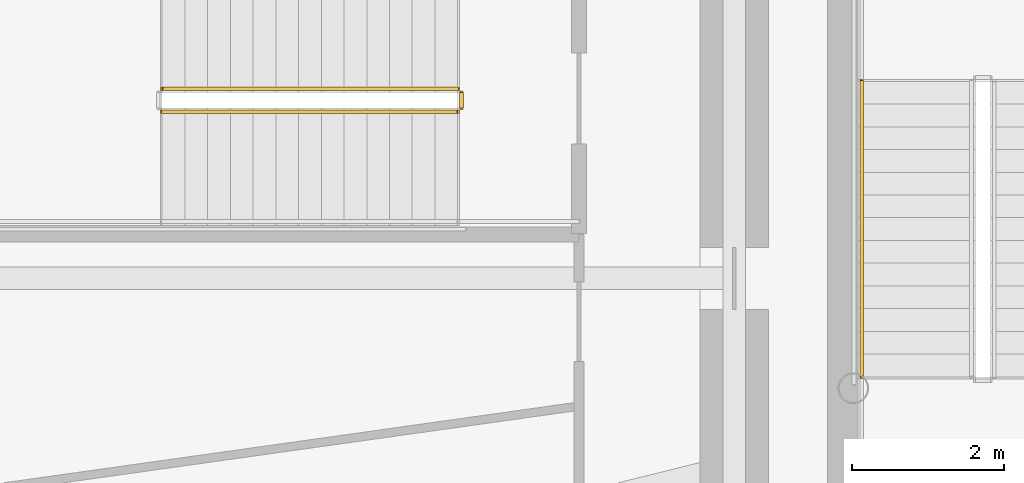
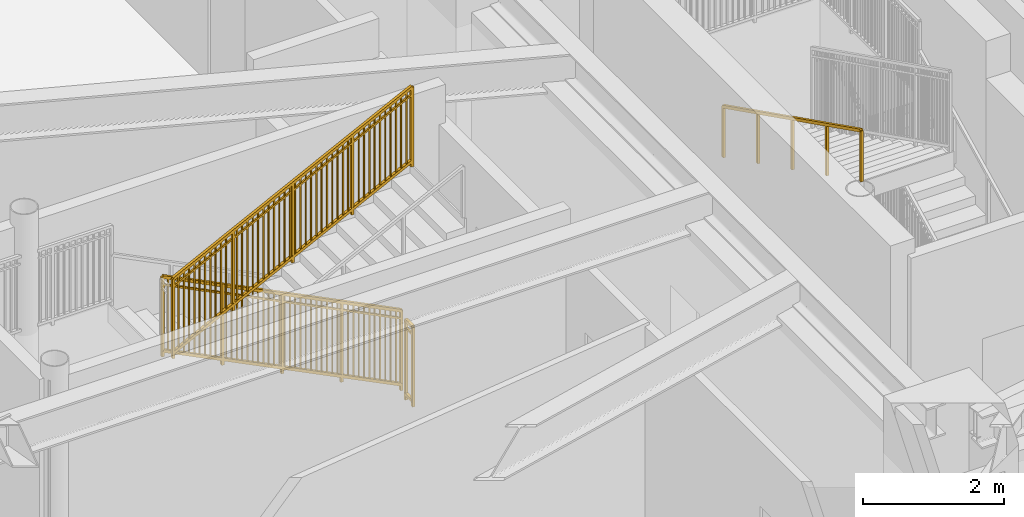
# One storey, part 26 of 35: 4 railings.
"""IFC4 building model written with IfcOpenShell, lengths in metres."""

from ifc_helpers import new_model, si_unit, direction, frame, origin, origin_2d, place, context, subcontext, project, spatial, rectangle, extrude, source, transform, mapped, material, type_object, element, save


model = new_model("IFC4")

# Units and contexts
model_context = context("Model", 3, precision=1e-05, world=origin(), true_north=direction((0.0, 1.0)))
body_context = subcontext(model_context, "Body", "Model", "MODEL_VIEW")
ifc_project = project(units=[si_unit("LENGTHUNIT", "METRE"), si_unit("AREAUNIT", "SQUARE_METRE"), si_unit("VOLUMEUNIT", "CUBIC_METRE"), si_unit("PLANEANGLEUNIT", "RADIAN"), si_unit("MASSUNIT", "GRAM", prefix="KILO")], contexts=[model_context])

# Site, building, storey
site_placement = place(None, origin())
site = spatial("IfcSite", under=ifc_project, at=site_placement, CompositionType="ELEMENT")
building_placement = place(site_placement, origin())
building = spatial("IfcBuilding", under=site, at=building_placement, Name="Linh Dai School and Residence Tower", CompositionType="ELEMENT")
storey_placement = place(building_placement, frame((0.0, 0.0, 49.199951171875)))
storey = spatial("IfcBuildingStorey", under=building, at=storey_placement, Name="L11", CompositionType="ELEMENT", Elevation=49.199951171875)

# Railings
ifc_material_1 = material(Name="Brushed Stainless Steel Handrail", Category="steel")
railing_type_1 = type_object("IfcRailingType", Name="RL-ST-HANDRAIL-900", PredefinedType="HANDRAIL", material=ifc_material_1)
shared_shape_1 = source(origin(), body_context, "Body", "SweptSolid", [
    extrude(rectangle(XDim=0.048095703125, YDim=0.048095703125, at=origin_2d()), frame((0.0, 0.0, 0.8759765625), z_axis=(0.0, -0.894438388696, 0.447191199406), x_axis=(1.0, 0.0, 0.0)), (0.0, 0.0, 1.0), 4.3603515625),
    extrude(rectangle(XDim=0.0419921875, YDim=0.0419921875, at=origin_2d()), origin(), (0.0, 0.0, 1.0), 0.8759765625),
    extrude(rectangle(XDim=0.0419921875, YDim=0.0419921875, at=origin_2d()), frame((0.0, -0.97509765625, 0.487548828125)), (0.0, 0.0, 1.0), 0.8759765625),
    extrude(rectangle(XDim=0.0419921875, YDim=0.0419921875, at=origin_2d()), frame((0.0, -1.9501953125, 0.97509765625)), (0.0, 0.0, 1.0), 0.8759765625),
    extrude(rectangle(XDim=0.0419921875, YDim=0.0419921875, at=origin_2d()), frame((0.0, -2.925048828125, 1.46240234375)), (0.0, 0.0, 1.0), 0.8759765625),
    extrude(rectangle(XDim=0.0419921875, YDim=0.0419921875, at=origin_2d()), frame((0.0, -3.900146484375, 1.949951171875)), (0.0, 0.0, 1.0), 0.8759765625),
])
railing_1_placement = place(storey_placement, frame((27.72998046875, 29.60009765625, 2.25)))
element("IfcRailing", 1, at=railing_1_placement, inside=storey, type_object=railing_type_1, Name="L11 ST1 stair handrail 2", PredefinedType="HANDRAIL", context=body_context, shape_type="MappedRepresentation", body=[
    mapped(shared_shape_1, transform((0.0, 0.0, 0.0), x_axis=(1.0, 0.0, 0.0), y_axis=(0.0, 1.0, 0.0), z_axis=(0.0, 0.0, 1.0), scale=1.0)),
])
ifc_material_2 = material(Name="Structural Steel S355JR", Category="steel")
railing_type_2 = type_object("IfcRailingType", Name="RL-ST-GUARD-1400", PredefinedType="GUARDRAIL", material=ifc_material_2)
shared_shape_2 = source(origin(), body_context, "Body", "SweptSolid", [
    extrude(rectangle(XDim=0.048095703125, YDim=0.048095703125, at=origin_2d()), frame((0.0, 0.0, 1.3759765625), z_axis=(0.0, -1.0, 0.0), x_axis=(1.0, 0.0, 0.0)), (0.0, 0.0, 1.0), 0.199951171875),
    extrude(rectangle(XDim=0.048095703125, YDim=0.048095703125, at=origin_2d()), frame((0.0, 0.0, 0.10009765625), z_axis=(0.0, -1.0, 0.0), x_axis=(1.0, 0.0, 0.0)), (0.0, 0.0, 1.0), 0.199951171875),
    extrude(rectangle(XDim=0.030029296875, YDim=0.030029296875, at=origin_2d()), frame((0.0, 0.0, 1.239990234375), z_axis=(0.0, -1.0, 0.0), x_axis=(1.0, 0.0, 0.0)), (0.0, 0.0, 1.0), 0.199951171875),
    extrude(rectangle(XDim=0.0419921875, YDim=0.0419921875, at=origin_2d()), origin(), (0.0, 0.0, 1.0), 1.3759765625),
    extrude(rectangle(XDim=0.0419921875, YDim=0.0419921875, at=origin_2d()), frame((0.0, -0.199951171875, 0.0)), (0.0, 0.0, 1.0), 1.3759765625),
])
railing_2_placement = place(storey_placement, frame((22.449951171875, 29.449951171875, 0.0)))
element("IfcRailing", 2, at=railing_2_placement, inside=storey, type_object=railing_type_2, Name="L11 STS1 stair guard 7", PredefinedType="GUARDRAIL", context=body_context, shape_type="MappedRepresentation", body=[
    mapped(shared_shape_2, transform((0.0, 0.0, 0.0), x_axis=(1.0, 0.0, 0.0), y_axis=(0.0, 1.0, 0.0), z_axis=(0.0, 0.0, 1.0), scale=1.0)),
])
shared_shape_3 = source(origin(), body_context, "Body", "SweptSolid", [
    extrude(rectangle(XDim=0.048095703125, YDim=0.048095703125, at=origin_2d()), frame((0.0, 0.0, 1.3759765625), z_axis=(0.894427191, 0.0, 0.4472135955), x_axis=(0.0, 1.0, 0.0)), (0.0, 0.0, 1.0), 4.360107421875),
    extrude(rectangle(XDim=0.048095703125, YDim=0.048095703125, at=origin_2d()), frame((0.0, 0.0, 0.10009765625), z_axis=(0.894427191, 0.0, 0.4472135955), x_axis=(0.0, 1.0, 0.0)), (0.0, 0.0, 1.0), 4.360107421875),
    extrude(rectangle(XDim=0.030029296875, YDim=0.030029296875, at=origin_2d()), frame((0.0, 0.0, 1.239990234375), z_axis=(0.894427191, 0.0, 0.4472135955), x_axis=(0.0, 1.0, 0.0)), (0.0, 0.0, 1.0), 4.360107421875),
    extrude(rectangle(XDim=0.02001953125, YDim=0.02001953125, at=origin_2d()), frame((0.086669921875, 0.0, 0.143310546875)), (0.0, 0.0, 1.0), 1.251708984375),
    extrude(rectangle(XDim=0.02001953125, YDim=0.02001953125, at=origin_2d()), frame((0.17333984375, 0.0, 0.186767578125)), (0.0, 0.0, 1.0), 1.251708984375),
    extrude(rectangle(XDim=0.02001953125, YDim=0.02001953125, at=origin_2d()), frame((0.260009765625, 0.0, 0.22998046875)), (0.0, 0.0, 1.0), 1.251708984375),
    extrude(rectangle(XDim=0.02001953125, YDim=0.02001953125, at=origin_2d()), frame((0.3466796875, 0.0, 0.2734375)), (0.0, 0.0, 1.0), 1.251708984375),
    extrude(rectangle(XDim=0.02001953125, YDim=0.02001953125, at=origin_2d()), frame((0.433349609375, 0.0, 0.316650390625)), (0.0, 0.0, 1.0), 1.251708984375),
    extrude(rectangle(XDim=0.02001953125, YDim=0.02001953125, at=origin_2d()), frame((0.52001953125, 0.0, 0.360107421875)), (0.0, 0.0, 1.0), 1.251708984375),
    extrude(rectangle(XDim=0.02001953125, YDim=0.02001953125, at=origin_2d()), frame((0.606689453125, 0.0, 0.4033203125)), (0.0, 0.0, 1.0), 1.251708984375),
    extrude(rectangle(XDim=0.02001953125, YDim=0.02001953125, at=origin_2d()), frame((0.693359375, 0.0, 0.44677734375)), (0.0, 0.0, 1.0), 1.251708984375),
    extrude(rectangle(XDim=0.02001953125, YDim=0.02001953125, at=origin_2d()), frame((0.780029296875, 0.0, 0.489990234375)), (0.0, 0.0, 1.0), 1.251708984375),
    extrude(rectangle(XDim=0.02001953125, YDim=0.02001953125, at=origin_2d()), frame((0.86669921875, 0.0, 0.533447265625)), (0.0, 0.0, 1.0), 1.251708984375),
    extrude(rectangle(XDim=0.02001953125, YDim=0.02001953125, at=origin_2d()), frame((1.0400390625, 0.0, 0.6201171875)), (0.0, 0.0, 1.0), 1.251708984375),
    extrude(rectangle(XDim=0.02001953125, YDim=0.02001953125, at=origin_2d()), frame((1.126708984375, 0.0, 0.663330078125)), (0.0, 0.0, 1.0), 1.251708984375),
    extrude(rectangle(XDim=0.02001953125, YDim=0.02001953125, at=origin_2d()), frame((1.21337890625, 0.0, 0.706787109375)), (0.0, 0.0, 1.0), 1.251708984375),
    extrude(rectangle(XDim=0.02001953125, YDim=0.02001953125, at=origin_2d()), frame((1.300048828125, 0.0, 0.75)), (0.0, 0.0, 1.0), 1.251708984375),
    extrude(rectangle(XDim=0.02001953125, YDim=0.02001953125, at=origin_2d()), frame((1.38671875, 0.0, 0.79345703125)), (0.0, 0.0, 1.0), 1.251708984375),
    extrude(rectangle(XDim=0.02001953125, YDim=0.02001953125, at=origin_2d()), frame((1.473388671875, 0.0, 0.836669921875)), (0.0, 0.0, 1.0), 1.251708984375),
    extrude(rectangle(XDim=0.02001953125, YDim=0.02001953125, at=origin_2d()), frame((1.56005859375, 0.0, 0.880126953125)), (0.0, 0.0, 1.0), 1.251708984375),
    extrude(rectangle(XDim=0.02001953125, YDim=0.02001953125, at=origin_2d()), frame((1.646728515625, 0.0, 0.92333984375)), (0.0, 0.0, 1.0), 1.251708984375),
    extrude(rectangle(XDim=0.02001953125, YDim=0.02001953125, at=origin_2d()), frame((1.7333984375, 0.0, 0.966796875)), (0.0, 0.0, 1.0), 1.251708984375),
    extrude(rectangle(XDim=0.02001953125, YDim=0.02001953125, at=origin_2d()), frame((1.820068359375, 0.0, 1.010009765625)), (0.0, 0.0, 1.0), 1.251708984375),
    extrude(rectangle(XDim=0.02001953125, YDim=0.02001953125, at=origin_2d()), frame((1.90673828125, 0.0, 1.053466796875)), (0.0, 0.0, 1.0), 1.251708984375),
    extrude(rectangle(XDim=0.02001953125, YDim=0.02001953125, at=origin_2d()), frame((1.9931640625, 0.0, 1.0966796875)), (0.0, 0.0, 1.0), 1.251708984375),
    extrude(rectangle(XDim=0.02001953125, YDim=0.02001953125, at=origin_2d()), frame((2.079833984375, 0.0, 1.14013671875)), (0.0, 0.0, 1.0), 1.251708984375),
    extrude(rectangle(XDim=0.02001953125, YDim=0.02001953125, at=origin_2d()), frame((2.16650390625, 0.0, 1.183349609375)), (0.0, 0.0, 1.0), 1.251708984375),
    extrude(rectangle(XDim=0.02001953125, YDim=0.02001953125, at=origin_2d()), frame((2.253173828125, 0.0, 1.226806640625)), (0.0, 0.0, 1.0), 1.251708984375),
    extrude(rectangle(XDim=0.02001953125, YDim=0.02001953125, at=origin_2d()), frame((2.33984375, 0.0, 1.27001953125)), (0.0, 0.0, 1.0), 1.251708984375),
    extrude(rectangle(XDim=0.02001953125, YDim=0.02001953125, at=origin_2d()), frame((2.426513671875, 0.0, 1.3134765625)), (0.0, 0.0, 1.0), 1.251708984375),
    extrude(rectangle(XDim=0.02001953125, YDim=0.02001953125, at=origin_2d()), frame((2.51318359375, 0.0, 1.356689453125)), (0.0, 0.0, 1.0), 1.251708984375),
    extrude(rectangle(XDim=0.02001953125, YDim=0.02001953125, at=origin_2d()), frame((2.599853515625, 0.0, 1.400146484375)), (0.0, 0.0, 1.0), 1.251708984375),
    extrude(rectangle(XDim=0.02001953125, YDim=0.02001953125, at=origin_2d()), frame((2.6865234375, 0.0, 1.443359375)), (0.0, 0.0, 1.0), 1.251708984375),
    extrude(rectangle(XDim=0.02001953125, YDim=0.02001953125, at=origin_2d()), frame((2.773193359375, 0.0, 1.48681640625)), (0.0, 0.0, 1.0), 1.251708984375),
    extrude(rectangle(XDim=0.02001953125, YDim=0.02001953125, at=origin_2d()), frame((2.85986328125, 0.0, 1.530029296875)), (0.0, 0.0, 1.0), 1.251708984375),
    extrude(rectangle(XDim=0.02001953125, YDim=0.02001953125, at=origin_2d()), frame((3.033203125, 0.0, 1.61669921875)), (0.0, 0.0, 1.0), 1.251708984375),
    extrude(rectangle(XDim=0.02001953125, YDim=0.02001953125, at=origin_2d()), frame((3.119873046875, 0.0, 1.66015625)), (0.0, 0.0, 1.0), 1.251708984375),
    extrude(rectangle(XDim=0.02001953125, YDim=0.02001953125, at=origin_2d()), frame((3.20654296875, 0.0, 1.703369140625)), (0.0, 0.0, 1.0), 1.251708984375),
    extrude(rectangle(XDim=0.02001953125, YDim=0.02001953125, at=origin_2d()), frame((3.293212890625, 0.0, 1.746826171875)), (0.0, 0.0, 1.0), 1.251708984375),
    extrude(rectangle(XDim=0.02001953125, YDim=0.02001953125, at=origin_2d()), frame((3.3798828125, 0.0, 1.7900390625)), (0.0, 0.0, 1.0), 1.251708984375),
    extrude(rectangle(XDim=0.02001953125, YDim=0.02001953125, at=origin_2d()), frame((3.466552734375, 0.0, 1.83349609375)), (0.0, 0.0, 1.0), 1.251708984375),
    extrude(rectangle(XDim=0.02001953125, YDim=0.02001953125, at=origin_2d()), frame((3.55322265625, 0.0, 1.876708984375)), (0.0, 0.0, 1.0), 1.251708984375),
    extrude(rectangle(XDim=0.02001953125, YDim=0.02001953125, at=origin_2d()), frame((3.639892578125, 0.0, 1.920166015625)), (0.0, 0.0, 1.0), 1.251708984375),
    extrude(rectangle(XDim=0.02001953125, YDim=0.02001953125, at=origin_2d()), frame((3.7265625, 0.0, 1.96337890625)), (0.0, 0.0, 1.0), 1.251708984375),
    extrude(rectangle(XDim=0.02001953125, YDim=0.02001953125, at=origin_2d()), frame((3.813232421875, 0.0, 2.0068359375)), (0.0, 0.0, 1.0), 1.251708984375),
    extrude(rectangle(XDim=0.0419921875, YDim=0.0419921875, at=origin_2d()), origin(), (0.0, 0.0, 1.0), 1.3759765625),
    extrude(rectangle(XDim=0.0419921875, YDim=0.0419921875, at=origin_2d()), frame((0.97509765625, 0.0, 0.487548828125)), (0.0, 0.0, 1.0), 1.3759765625),
    extrude(rectangle(XDim=0.0419921875, YDim=0.0419921875, at=origin_2d()), frame((1.949951171875, 0.0, 0.97509765625)), (0.0, 0.0, 1.0), 1.3759765625),
    extrude(rectangle(XDim=0.0419921875, YDim=0.0419921875, at=origin_2d()), frame((2.9248046875, 0.0, 1.46240234375)), (0.0, 0.0, 1.0), 1.3759765625),
    extrude(rectangle(XDim=0.0419921875, YDim=0.0419921875, at=origin_2d()), frame((3.89990234375, 0.0, 1.949951171875)), (0.0, 0.0, 1.0), 1.3759765625),
])
railing_3_placement = place(storey_placement, frame((18.5, 29.199951171875, 2.25)))
element("IfcRailing", 3, at=railing_3_placement, inside=storey, type_object=railing_type_2, Name="L11 STS1 stair guard 6", PredefinedType="GUARDRAIL", context=body_context, shape_type="MappedRepresentation", body=[
    mapped(shared_shape_3, transform((0.0, 0.0, 0.0), x_axis=(1.0, 0.0, 0.0), y_axis=(0.0, 1.0, 0.0), z_axis=(0.0, 0.0, 1.0), scale=1.0)),
])
shared_shape_4 = source(origin(), body_context, "Body", "SweptSolid", [
    extrude(rectangle(XDim=0.048095703125, YDim=0.048095703125, at=origin_2d()), frame((0.0, 0.0, 1.3759765625), z_axis=(-0.894427191, 0.0, 0.4472135955), x_axis=(0.0, -1.0, 0.0)), (0.0, 0.0, 1.0), 4.360107421875),
    extrude(rectangle(XDim=0.048095703125, YDim=0.048095703125, at=origin_2d()), frame((0.0, 0.0, 0.10009765625), z_axis=(-0.894427191, 0.0, 0.4472135955), x_axis=(0.0, -1.0, 0.0)), (0.0, 0.0, 1.0), 4.360107421875),
    extrude(rectangle(XDim=0.030029296875, YDim=0.030029296875, at=origin_2d()), frame((0.0, 0.0, 1.239990234375), z_axis=(-0.894427191, 0.0, 0.4472135955), x_axis=(0.0, -1.0, 0.0)), (0.0, 0.0, 1.0), 4.360107421875),
    extrude(rectangle(XDim=0.02001953125, YDim=0.02001953125, at=origin_2d()), frame((-0.086669921875, 0.0, 0.143310546875)), (0.0, 0.0, 1.0), 1.251708984375),
    extrude(rectangle(XDim=0.02001953125, YDim=0.02001953125, at=origin_2d()), frame((-0.17333984375, 0.0, 0.186767578125)), (0.0, 0.0, 1.0), 1.251708984375),
    extrude(rectangle(XDim=0.02001953125, YDim=0.02001953125, at=origin_2d()), frame((-0.260009765625, 0.0, 0.22998046875)), (0.0, 0.0, 1.0), 1.251708984375),
    extrude(rectangle(XDim=0.02001953125, YDim=0.02001953125, at=origin_2d()), frame((-0.3466796875, 0.0, 0.2734375)), (0.0, 0.0, 1.0), 1.251708984375),
    extrude(rectangle(XDim=0.02001953125, YDim=0.02001953125, at=origin_2d()), frame((-0.433349609375, 0.0, 0.316650390625)), (0.0, 0.0, 1.0), 1.251708984375),
    extrude(rectangle(XDim=0.02001953125, YDim=0.02001953125, at=origin_2d()), frame((-0.52001953125, 0.0, 0.360107421875)), (0.0, 0.0, 1.0), 1.251708984375),
    extrude(rectangle(XDim=0.02001953125, YDim=0.02001953125, at=origin_2d()), frame((-0.606689453125, 0.0, 0.4033203125)), (0.0, 0.0, 1.0), 1.251708984375),
    extrude(rectangle(XDim=0.02001953125, YDim=0.02001953125, at=origin_2d()), frame((-0.693359375, 0.0, 0.44677734375)), (0.0, 0.0, 1.0), 1.251708984375),
    extrude(rectangle(XDim=0.02001953125, YDim=0.02001953125, at=origin_2d()), frame((-0.780029296875, 0.0, 0.489990234375)), (0.0, 0.0, 1.0), 1.251708984375),
    extrude(rectangle(XDim=0.02001953125, YDim=0.02001953125, at=origin_2d()), frame((-0.86669921875, 0.0, 0.533447265625)), (0.0, 0.0, 1.0), 1.251708984375),
    extrude(rectangle(XDim=0.02001953125, YDim=0.02001953125, at=origin_2d()), frame((-1.0400390625, 0.0, 0.6201171875)), (0.0, 0.0, 1.0), 1.251708984375),
    extrude(rectangle(XDim=0.02001953125, YDim=0.02001953125, at=origin_2d()), frame((-1.126708984375, 0.0, 0.663330078125)), (0.0, 0.0, 1.0), 1.251708984375),
    extrude(rectangle(XDim=0.02001953125, YDim=0.02001953125, at=origin_2d()), frame((-1.21337890625, 0.0, 0.706787109375)), (0.0, 0.0, 1.0), 1.251708984375),
    extrude(rectangle(XDim=0.02001953125, YDim=0.02001953125, at=origin_2d()), frame((-1.300048828125, 0.0, 0.75)), (0.0, 0.0, 1.0), 1.251708984375),
    extrude(rectangle(XDim=0.02001953125, YDim=0.02001953125, at=origin_2d()), frame((-1.38671875, 0.0, 0.79345703125)), (0.0, 0.0, 1.0), 1.251708984375),
    extrude(rectangle(XDim=0.02001953125, YDim=0.02001953125, at=origin_2d()), frame((-1.473388671875, 0.0, 0.836669921875)), (0.0, 0.0, 1.0), 1.251708984375),
    extrude(rectangle(XDim=0.02001953125, YDim=0.02001953125, at=origin_2d()), frame((-1.56005859375, 0.0, 0.880126953125)), (0.0, 0.0, 1.0), 1.251708984375),
    extrude(rectangle(XDim=0.02001953125, YDim=0.02001953125, at=origin_2d()), frame((-1.646728515625, 0.0, 0.92333984375)), (0.0, 0.0, 1.0), 1.251708984375),
    extrude(rectangle(XDim=0.02001953125, YDim=0.02001953125, at=origin_2d()), frame((-1.7333984375, 0.0, 0.966796875)), (0.0, 0.0, 1.0), 1.251708984375),
    extrude(rectangle(XDim=0.02001953125, YDim=0.02001953125, at=origin_2d()), frame((-1.820068359375, 0.0, 1.010009765625)), (0.0, 0.0, 1.0), 1.251708984375),
    extrude(rectangle(XDim=0.02001953125, YDim=0.02001953125, at=origin_2d()), frame((-1.90673828125, 0.0, 1.053466796875)), (0.0, 0.0, 1.0), 1.251708984375),
    extrude(rectangle(XDim=0.02001953125, YDim=0.02001953125, at=origin_2d()), frame((-1.9931640625, 0.0, 1.0966796875)), (0.0, 0.0, 1.0), 1.251708984375),
    extrude(rectangle(XDim=0.02001953125, YDim=0.02001953125, at=origin_2d()), frame((-2.079833984375, 0.0, 1.14013671875)), (0.0, 0.0, 1.0), 1.251708984375),
    extrude(rectangle(XDim=0.02001953125, YDim=0.02001953125, at=origin_2d()), frame((-2.16650390625, 0.0, 1.183349609375)), (0.0, 0.0, 1.0), 1.251708984375),
    extrude(rectangle(XDim=0.02001953125, YDim=0.02001953125, at=origin_2d()), frame((-2.253173828125, 0.0, 1.226806640625)), (0.0, 0.0, 1.0), 1.251708984375),
    extrude(rectangle(XDim=0.02001953125, YDim=0.02001953125, at=origin_2d()), frame((-2.33984375, 0.0, 1.27001953125)), (0.0, 0.0, 1.0), 1.251708984375),
    extrude(rectangle(XDim=0.02001953125, YDim=0.02001953125, at=origin_2d()), frame((-2.426513671875, 0.0, 1.3134765625)), (0.0, 0.0, 1.0), 1.251708984375),
    extrude(rectangle(XDim=0.02001953125, YDim=0.02001953125, at=origin_2d()), frame((-2.51318359375, 0.0, 1.356689453125)), (0.0, 0.0, 1.0), 1.251708984375),
    extrude(rectangle(XDim=0.02001953125, YDim=0.02001953125, at=origin_2d()), frame((-2.599853515625, 0.0, 1.400146484375)), (0.0, 0.0, 1.0), 1.251708984375),
    extrude(rectangle(XDim=0.02001953125, YDim=0.02001953125, at=origin_2d()), frame((-2.6865234375, 0.0, 1.443359375)), (0.0, 0.0, 1.0), 1.251708984375),
    extrude(rectangle(XDim=0.02001953125, YDim=0.02001953125, at=origin_2d()), frame((-2.773193359375, 0.0, 1.48681640625)), (0.0, 0.0, 1.0), 1.251708984375),
    extrude(rectangle(XDim=0.02001953125, YDim=0.02001953125, at=origin_2d()), frame((-2.85986328125, 0.0, 1.530029296875)), (0.0, 0.0, 1.0), 1.251708984375),
    extrude(rectangle(XDim=0.02001953125, YDim=0.02001953125, at=origin_2d()), frame((-3.033203125, 0.0, 1.61669921875)), (0.0, 0.0, 1.0), 1.251708984375),
    extrude(rectangle(XDim=0.02001953125, YDim=0.02001953125, at=origin_2d()), frame((-3.119873046875, 0.0, 1.66015625)), (0.0, 0.0, 1.0), 1.251708984375),
    extrude(rectangle(XDim=0.02001953125, YDim=0.02001953125, at=origin_2d()), frame((-3.20654296875, 0.0, 1.703369140625)), (0.0, 0.0, 1.0), 1.251708984375),
    extrude(rectangle(XDim=0.02001953125, YDim=0.02001953125, at=origin_2d()), frame((-3.293212890625, 0.0, 1.746826171875)), (0.0, 0.0, 1.0), 1.251708984375),
    extrude(rectangle(XDim=0.02001953125, YDim=0.02001953125, at=origin_2d()), frame((-3.3798828125, 0.0, 1.7900390625)), (0.0, 0.0, 1.0), 1.251708984375),
    extrude(rectangle(XDim=0.02001953125, YDim=0.02001953125, at=origin_2d()), frame((-3.466552734375, 0.0, 1.83349609375)), (0.0, 0.0, 1.0), 1.251708984375),
    extrude(rectangle(XDim=0.02001953125, YDim=0.02001953125, at=origin_2d()), frame((-3.55322265625, 0.0, 1.876708984375)), (0.0, 0.0, 1.0), 1.251708984375),
    extrude(rectangle(XDim=0.02001953125, YDim=0.02001953125, at=origin_2d()), frame((-3.639892578125, 0.0, 1.920166015625)), (0.0, 0.0, 1.0), 1.251708984375),
    extrude(rectangle(XDim=0.02001953125, YDim=0.02001953125, at=origin_2d()), frame((-3.7265625, 0.0, 1.96337890625)), (0.0, 0.0, 1.0), 1.251708984375),
    extrude(rectangle(XDim=0.02001953125, YDim=0.02001953125, at=origin_2d()), frame((-3.813232421875, 0.0, 2.0068359375)), (0.0, 0.0, 1.0), 1.251708984375),
    extrude(rectangle(XDim=0.0419921875, YDim=0.0419921875, at=origin_2d()), origin(), (0.0, 0.0, 1.0), 1.3759765625),
    extrude(rectangle(XDim=0.0419921875, YDim=0.0419921875, at=origin_2d()), frame((-0.97509765625, 0.0, 0.487548828125)), (0.0, 0.0, 1.0), 1.3759765625),
    extrude(rectangle(XDim=0.0419921875, YDim=0.0419921875, at=origin_2d()), frame((-1.949951171875, 0.0, 0.97509765625)), (0.0, 0.0, 1.0), 1.3759765625),
    extrude(rectangle(XDim=0.0419921875, YDim=0.0419921875, at=origin_2d()), frame((-2.9248046875, 0.0, 1.46240234375)), (0.0, 0.0, 1.0), 1.3759765625),
    extrude(rectangle(XDim=0.0419921875, YDim=0.0419921875, at=origin_2d()), frame((-3.89990234375, 0.0, 1.949951171875)), (0.0, 0.0, 1.0), 1.3759765625),
])
railing_4_placement = place(storey_placement, frame((22.39990234375, 29.5, 0.150146484375)))
element("IfcRailing", 4, at=railing_4_placement, inside=storey, type_object=railing_type_2, Name="L11 STS1 stair guard 1", PredefinedType="GUARDRAIL", context=body_context, shape_type="MappedRepresentation", body=[
    mapped(shared_shape_4, transform((0.0, 0.0, 0.0), x_axis=(1.0, 0.0, 0.0), y_axis=(0.0, 1.0, 0.0), z_axis=(0.0, 0.0, 1.0), scale=1.0)),
])

save(model, "model.ifc")
